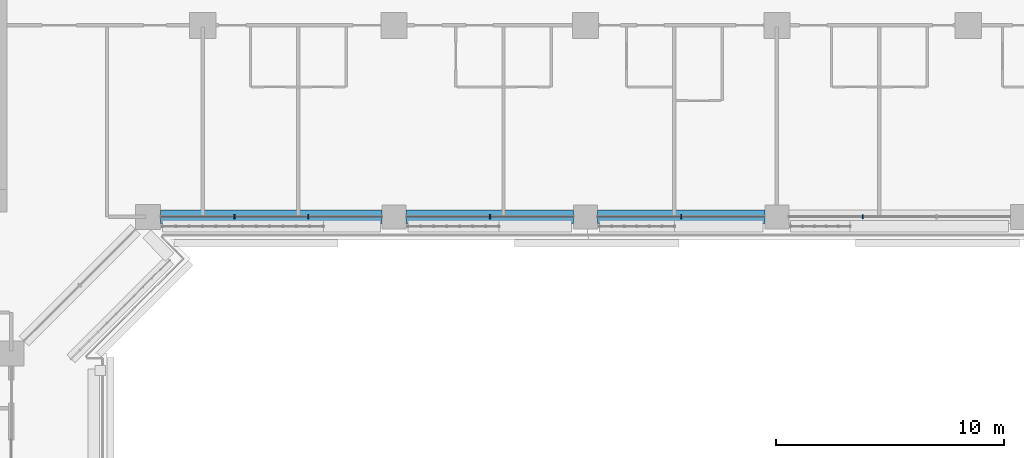
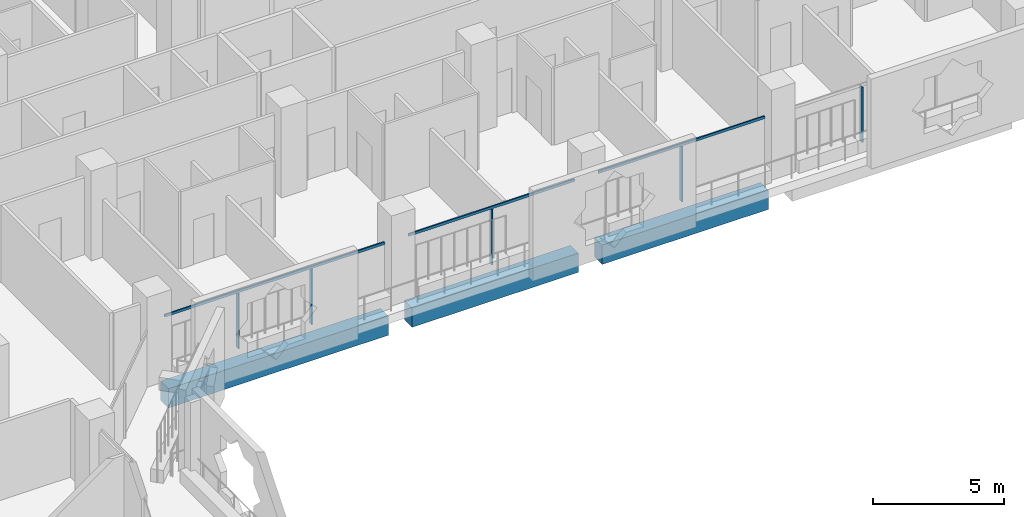
# One storey, part 6 of 25: 8 members, 3 beams, 1 element without a shape of its own.
"""IFC4 building model written with IfcOpenShell, lengths in metres."""

import ifcopenshell
import ifcopenshell.guid

model = None  # the IFC model being written
_history = None  # IfcOwnerHistory: only IFC2X3 demands one
_inside = {}  # id of a spatial element -> (the spatial element, [elements in it])
_under = {}  # id of a project, library or spatial element -> (it, [spatial elements below it])
_declared = {}  # id of a project -> (the project, [libraries it declares])
_typed = {}  # id of a type object -> (the type object, [elements of that type])
_made_of = {}  # id of a material, layer set ... -> (it, [elements and type objects made of it])


def new_model(schema):
    """Start an empty IFC model of exactly this schema.

    Asked for "IFC4X3", IfcOpenShell would pick the latest addendum, in which some entities
    have other attributes; the version numbers below select the first issue.
    IFC2X3 requires an IfcOwnerHistory on every rooted entity: one is made here for all.
    """
    global model, _history
    if schema == "IFC4X3":
        model = ifcopenshell.file(schema_version=(4, 3, 0, 0))
    else:
        model = ifcopenshell.file(schema=schema)
    _inside.clear()
    _under.clear()
    _declared.clear()
    _typed.clear()
    _made_of.clear()
    _history = None
    if model.schema == "IFC2X3":
        org = make("IfcOrganization", Name="unknown")
        user = make(
            "IfcPersonAndOrganization",
            ThePerson=make("IfcPerson", FamilyName="unknown"),
            TheOrganization=org,
        )
        app = make(
            "IfcApplication",
            ApplicationDeveloper=org,
            Version="unknown",
            ApplicationFullName="unknown",
            ApplicationIdentifier="unknown",
        )
        _history = make(
            "IfcOwnerHistory",
            OwningUser=user,
            OwningApplication=app,
            ChangeAction="ADDED",
            CreationDate=0,
        )
    return model


def make(cls, **values):
    """One entity of the class cls with the attributes given. An attribute that is None is left unset."""
    return model.create_entity(
        cls, **{name: value for name, value in values.items() if value is not None}
    )


def rooted(cls, **values):
    """An entity with a GlobalId (a new one), such as an element, a storey or a relation."""
    return make(cls, GlobalId=ifcopenshell.guid.new(), OwnerHistory=_history, **values)


def si_unit(unit_type, name, prefix=None):
    """IfcSIUnit, for example si_unit("LENGTHUNIT", "METRE", prefix="MILLI")."""
    return make("IfcSIUnit", UnitType=unit_type, Prefix=prefix, Name=name)


def assignment(units):
    """IfcUnitAssignment: the units of a project."""
    return None if units is None else make("IfcUnitAssignment", Units=units)


def point(xyz):
    """IfcCartesianPoint."""
    return None if xyz is None else make("IfcCartesianPoint", Coordinates=xyz)


def direction(xyz):
    """IfcDirection."""
    return None if xyz is None else make("IfcDirection", DirectionRatios=xyz)


def frame(location, z_axis=None, x_axis=None):
    """IfcAxis2Placement3D, a coordinate frame: its origin and axes. An axis left out is left unset."""
    return make(
        "IfcAxis2Placement3D",
        Location=point(location),
        Axis=direction(z_axis),
        RefDirection=direction(x_axis),
    )


def frame_2d(location, x_axis=None):
    """IfcAxis2Placement2D, a coordinate frame in the plane: its origin and x axis."""
    return make(
        "IfcAxis2Placement2D", Location=point(location), RefDirection=direction(x_axis)
    )


def origin():
    """The frame at (0, 0, 0) with its axes left unset."""
    return frame((0.0, 0.0, 0.0))


def origin_2d():
    """The frame at (0, 0) in the plane with its x axis left unset."""
    return frame_2d((0.0, 0.0))


def place(relative_to, where):
    """IfcLocalPlacement: puts the frame where relative to a parent placement (None: the world)."""
    return make(
        "IfcLocalPlacement", PlacementRelTo=relative_to, RelativePlacement=where
    )


def context(
    kind, dimensions, precision=None, world=None, true_north=None, identifier=None
):
    """IfcGeometricRepresentationContext, for example the 3D "Model" context."""
    return make(
        "IfcGeometricRepresentationContext",
        ContextIdentifier=identifier,
        ContextType=kind,
        CoordinateSpaceDimension=dimensions,
        Precision=precision,
        WorldCoordinateSystem=world,
        TrueNorth=true_north,
    )


def subcontext(parent, identifier, kind, view, scale=None):
    """IfcGeometricRepresentationSubContext, for example "Body" below "Model"."""
    return make(
        "IfcGeometricRepresentationSubContext",
        ContextIdentifier=identifier,
        ContextType=kind,
        ParentContext=parent,
        TargetScale=scale,
        TargetView=view,
    )


def project(units=None, contexts=None):
    """IfcProject with its units and contexts."""
    return rooted(
        "IfcProject",
        Name="project",
        RepresentationContexts=contexts,
        UnitsInContext=assignment(units),
    )


def spatial(cls, under=None, at=None, **own):
    """A site, building, storey or space (cls), placed at a placement, below another one or the project."""
    s = rooted(cls, ObjectPlacement=at, **own)
    if under is not None:
        _under.setdefault(under.id(), (under, []))[1].append(s)
    return s


def profile(cls, at=None, kind="AREA", **sizes):
    """A parametric profile (cls). Its sizes go by their IFC names, for example OverallWidth=200.0."""
    return make(cls, ProfileType=kind, Position=at, **sizes)


def rectangle(**sizes):
    """IfcRectangleProfileDef."""
    return profile("IfcRectangleProfileDef", **sizes)


def extrude(swept, where, along, depth):
    """IfcExtrudedAreaSolid: the profile swept, set in the frame where, extruded along a direction by depth."""
    return make(
        "IfcExtrudedAreaSolid",
        SweptArea=swept,
        Position=where,
        ExtrudedDirection=direction(along),
        Depth=depth,
    )


def shape(context_of_items, identifier, shape_type, items):
    """IfcShapeRepresentation: the items that make up one representation, for example the "Body"."""
    return make(
        "IfcShapeRepresentation",
        ContextOfItems=context_of_items,
        RepresentationIdentifier=identifier,
        RepresentationType=shape_type,
        Items=items,
    )


def material(Name=None, Category=None):
    """IfcMaterial."""
    return make("IfcMaterial", Name=Name, Category=Category)


def layer(
    of_material, thickness, ventilated=None, Name=None, Category=None, Priority=None
):
    """IfcMaterialLayer: one layer of a wall or slab, of a material (None: an air gap)."""
    return make(
        "IfcMaterialLayer",
        Material=of_material,
        LayerThickness=thickness,
        IsVentilated=ventilated,
        Name=Name,
        Category=Category,
        Priority=Priority,
    )


def layer_set(layers, Name=None):
    """IfcMaterialLayerSet."""
    return make("IfcMaterialLayerSet", MaterialLayers=layers, LayerSetName=Name)


def material_profile(
    of_material, cross_section, Name=None, Category=None, Priority=None
):
    """IfcMaterialProfile: a cross section and its material."""
    return make(
        "IfcMaterialProfile",
        Name=Name,
        Material=of_material,
        Profile=cross_section,
        Priority=Priority,
        Category=Category,
    )


def profile_set(profiles, Name=None, composite=None):
    """IfcMaterialProfileSet."""
    return make(
        "IfcMaterialProfileSet",
        Name=Name,
        MaterialProfiles=profiles,
        CompositeProfile=composite,
    )


def made_of(thing, what):
    """Note that an element or type object is made of a material, layer set ...; save() writes the relation."""
    if what is not None:
        _made_of.setdefault(what.id(), (what, []))[1].append(thing)
    return thing


def type_object(cls, material=None, **own):
    """A type object (cls), such as IfcWallType, which elements share."""
    return made_of(rooted(cls, **own), material)


def element(
    cls,
    number,
    at=None,
    inside=None,
    cuts=None,
    type_object=None,
    material=None,
    context=None,
    identifier="Body",
    shape_type=None,
    held_by="IfcProductDefinitionShape",
    body=None,
    shapes=None,
    **own,
):
    """One element of the class cls, such as IfcWall. Its Tag is "e" and its number.

    at: its placement. inside: the storey or other place that contains it. cuts: it is an
    opening in that element (IfcRelVoidsElement). A single representation is given by context,
    identifier, shape_type and body (its items); several are given by shapes. held_by: the class
    of the entity that holds the representations. save() writes the other relations.
    """
    e = rooted(cls, Tag="e%d" % number, ObjectPlacement=at, **own)
    if body is not None:
        shapes = [shape(context, identifier, shape_type, body)]
    if shapes is not None:
        e.Representation = make(held_by, Representations=shapes)
    if inside is not None:
        _inside.setdefault(inside.id(), (inside, []))[1].append(e)
    if cuts is not None:
        rooted(
            "IfcRelVoidsElement", RelatingBuildingElement=cuts, RelatedOpeningElement=e
        )
    if type_object is not None:
        _typed.setdefault(type_object.id(), (type_object, []))[1].append(e)
    return made_of(e, material)


def aggregate(whole, parts):
    """IfcRelAggregates: a whole, such as a stair, and the parts it consists of."""
    return rooted("IfcRelAggregates", RelatingObject=whole, RelatedObjects=parts)


def save(model, path):
    """Write the relations noted so far, then the file.

    IfcRelAggregates (storeys below a building ...), IfcRelContainedInSpatialStructure (elements
    in a storey), IfcRelDefinesByType, IfcRelAssociatesMaterial and IfcRelDeclares: one each for
    every whole, place, type object, material and project.
    """
    for whole, parts in _under.values():
        aggregate(whole, parts)
    for where, things in _inside.values():
        rooted(
            "IfcRelContainedInSpatialStructure",
            RelatedElements=things,
            RelatingStructure=where,
        )
    for kind, things in _typed.values():
        rooted("IfcRelDefinesByType", RelatedObjects=things, RelatingType=kind)
    for what, things in _made_of.values():
        rooted("IfcRelAssociatesMaterial", RelatedObjects=things, RelatingMaterial=what)
    for by, libraries in _declared.values():
        rooted("IfcRelDeclares", RelatingContext=by, RelatedDefinitions=libraries)
    model.write(path)


model = new_model("IFC4")

# Units and contexts
model_context = context("Model", 3, precision=1e-05, world=origin(), true_north=direction((0.0, 1.0)))
body_context = subcontext(model_context, "Body", "Model", "MODEL_VIEW")
ifc_project = project(units=[si_unit("LENGTHUNIT", "METRE"), si_unit("AREAUNIT", "SQUARE_METRE"), si_unit("VOLUMEUNIT", "CUBIC_METRE"), si_unit("PLANEANGLEUNIT", "RADIAN"), si_unit("MASSUNIT", "GRAM", prefix="KILO")], contexts=[model_context])

# Site, building, storey
site_placement = place(None, origin())
site = spatial("IfcSite", under=ifc_project, at=site_placement, CompositionType="ELEMENT")
building_placement = place(site_placement, origin())
building = spatial("IfcBuilding", under=site, at=building_placement, Name="Kawkab Arch Medical Tower", CompositionType="ELEMENT")
storey_placement = place(building_placement, frame((0.0, 0.0, 140.800048828125)))
storey = spatial("IfcBuildingStorey", under=building, at=storey_placement, Name="L32", CompositionType="ELEMENT", Elevation=140.800048828125)

# Curtain wall, members
ifc_material_1 = material(Name="Bronze anodised aluminium curtain wall frame", Category="aluminium")
ifc_layer = layer(ifc_material_1, 0.159912109375)
ifc_layer_set = layer_set([ifc_layer], Name="Bronze anodised aluminium curtain wall frame")
curtain_wall_type = type_object("IfcCurtainWallType", Name="CW1 ward curtain wall", PredefinedType="NOTDEFINED", material=ifc_layer_set)
curtain_wall_placement = place(storey_placement, origin())
curtain_wall = element("IfcCurtainWall", 1, at=curtain_wall_placement, inside=storey, type_object=curtain_wall_type, Name="CW1 Ward curtain wall R07", PredefinedType="NOTDEFINED")
ifc_material_2 = material(Name="Bronze anodised aluminium curtain wall frame", Category="aluminium")
ifc_material_profile_1 = material_profile(ifc_material_2, rectangle(XDim=0.179931640625, YDim=0.06005859375, at=origin_2d()), Name="AL 60x180")
ifc_profile_set_1 = profile_set([ifc_material_profile_1], Name="Bronze anodised aluminium curtain wall frame")
member_type_1 = type_object("IfcMemberType", Name="CW1 mullion 60 x 180", PredefinedType="MULLION", material=ifc_profile_set_1)
member_1_placement = place(storey_placement, frame((34.99169921875, -25.199951171875, 0.0), z_axis=(0.0, 0.0, 1.0), x_axis=(0.0, 1.0, 0.0)))
member_1 = element("IfcMember", 2, at=member_1_placement, type_object=member_type_1, Name="CW1 mullion 1.1", PredefinedType="MULLION", context=body_context, shape_type="SweptSolid", body=[
    extrude(rectangle(XDim=0.179931640625, YDim=0.06005859375, at=origin_2d()), origin(), (0.0, 0.0, 1.0), 2.579833984375),
])
member_2_placement = place(storey_placement, frame((38.2333984375, -25.199951171875, 0.0), z_axis=(0.0, 0.0, 1.0), x_axis=(0.0, 1.0, 0.0)))
member_2 = element("IfcMember", 3, at=member_2_placement, type_object=member_type_1, Name="CW1 mullion 1.2", PredefinedType="MULLION", context=body_context, shape_type="SweptSolid", body=[
    extrude(rectangle(XDim=0.179931640625, YDim=0.06005859375, at=origin_2d()), origin(), (0.0, 0.0, 1.0), 2.579833984375),
])
member_3_placement = place(storey_placement, frame((46.199951171875, -25.199951171875, 0.0), z_axis=(0.0, 0.0, 1.0), x_axis=(0.0, 1.0, 0.0)))
member_3 = element("IfcMember", 4, at=member_3_placement, type_object=member_type_1, Name="CW1 mullion 2.1", PredefinedType="MULLION", context=body_context, shape_type="SweptSolid", body=[
    extrude(rectangle(XDim=0.179931640625, YDim=0.06005859375, at=origin_2d()), origin(), (0.0, 0.0, 1.0), 2.579833984375),
])
member_4_placement = place(storey_placement, frame((54.60009765625, -25.199951171875, 0.0), z_axis=(0.0, 0.0, 1.0), x_axis=(0.0, 1.0, 0.0)))
member_4 = element("IfcMember", 5, at=member_4_placement, type_object=member_type_1, Name="CW1 mullion 3.1", PredefinedType="MULLION", context=body_context, shape_type="SweptSolid", body=[
    extrude(rectangle(XDim=0.179931640625, YDim=0.06005859375, at=origin_2d()), origin(), (0.0, 0.0, 1.0), 2.579833984375),
])
member_5_placement = place(storey_placement, frame((62.566650390625, -25.199951171875, 0.0), z_axis=(0.0, 0.0, 1.0), x_axis=(0.0, 1.0, 0.0)))
member_5 = element("IfcMember", 6, at=member_5_placement, type_object=member_type_1, Name="CW1 mullion 4.1", PredefinedType="MULLION", context=body_context, shape_type="SweptSolid", body=[
    extrude(rectangle(XDim=0.179931640625, YDim=0.06005859375, at=origin_2d()), origin(), (0.0, 0.0, 1.0), 2.579833984375),
])
ifc_material_3 = material(Name="Bronze anodised aluminium curtain wall frame", Category="aluminium")
ifc_material_profile_2 = material_profile(ifc_material_3, rectangle(XDim=0.06005859375, YDim=0.1201171875, at=origin_2d()), Name="AL 60x120")
ifc_profile_set_2 = profile_set([ifc_material_profile_2], Name="Bronze anodised aluminium curtain wall frame")
member_type_2 = type_object("IfcMemberType", Name="CW1 transom 120 x 60", PredefinedType="USERDEFINED", material=ifc_profile_set_2)
member_6_placement = place(storey_placement, frame((31.75, -25.199951171875, 2.639892578125), z_axis=(1.0, 0.0, 0.0), x_axis=(0.0, 1.0, 0.0)))
member_6 = element("IfcMember", 7, at=member_6_placement, type_object=member_type_2, Name="CW1 transom 1", ObjectType="TRANSOM", PredefinedType="USERDEFINED", context=body_context, shape_type="SweptSolid", body=[
    extrude(rectangle(XDim=0.06005859375, YDim=0.1201171875, at=origin_2d()), origin(), (0.0, 0.0, 1.0), 9.72509765625),
])
member_7_placement = place(storey_placement, frame((42.52490234375, -25.199951171875, 2.639892578125), z_axis=(1.0, 0.0, 0.0), x_axis=(0.0, 1.0, 0.0)))
member_7 = element("IfcMember", 8, at=member_7_placement, type_object=member_type_2, Name="CW1 transom 2", ObjectType="TRANSOM", PredefinedType="USERDEFINED", context=body_context, shape_type="SweptSolid", body=[
    extrude(rectangle(XDim=0.06005859375, YDim=0.1201171875, at=origin_2d()), origin(), (0.0, 0.0, 1.0), 7.35009765625),
])
member_8_placement = place(storey_placement, frame((50.925048828125, -25.199951171875, 2.639892578125), z_axis=(1.0, 0.0, 0.0), x_axis=(0.0, 1.0, 0.0)))
member_8 = element("IfcMember", 9, at=member_8_placement, type_object=member_type_2, Name="CW1 transom 3", ObjectType="TRANSOM", PredefinedType="USERDEFINED", context=body_context, shape_type="SweptSolid", body=[
    extrude(rectangle(XDim=0.06005859375, YDim=0.1201171875, at=origin_2d()), origin(), (0.0, 0.0, 1.0), 7.349853515625),
])
aggregate(curtain_wall, [member_6, member_1, member_2, member_7, member_3, member_8, member_4, member_5])

# Beams
ifc_material_4 = material(Name="Concrete C55/67", Category="concrete")
ifc_material_profile_3 = material_profile(ifc_material_4, rectangle(XDim=0.60009765625, YDim=0.89990234375, at=origin_2d()), Name="RC 600x900")
ifc_profile_set_3 = profile_set([ifc_material_profile_3], Name="Concrete C55/67")
beam_type = type_object("IfcBeamType", Name="RC 600x900 beam C55/67", PredefinedType="BEAM", material=ifc_profile_set_3)
beam_1_placement = place(storey_placement, frame((58.27490234375, -25.199951171875, -1.050048828125), z_axis=(-1.0, 0.0, 0.0), x_axis=(0.0, -1.0, 0.0)))
element("IfcBeam", 10, at=beam_1_placement, inside=storey, type_object=beam_type, Name="Overhang edge beam L32-03", PredefinedType="BEAM", context=body_context, shape_type="SweptSolid", body=[
    extrude(rectangle(XDim=0.60009765625, YDim=0.89990234375, at=origin_2d()), origin(), (0.0, 0.0, 1.0), 7.349853515625),
])
beam_2_placement = place(storey_placement, frame((49.875, -25.199951171875, -1.050048828125), z_axis=(-1.0, 0.0, 0.0), x_axis=(0.0, -1.0, 0.0)))
element("IfcBeam", 11, at=beam_2_placement, inside=storey, type_object=beam_type, Name="Overhang edge beam L32-04", PredefinedType="BEAM", context=body_context, shape_type="SweptSolid", body=[
    extrude(rectangle(XDim=0.60009765625, YDim=0.89990234375, at=origin_2d()), origin(), (0.0, 0.0, 1.0), 7.35009765625),
])
beam_3_placement = place(storey_placement, frame((41.47509765625, -25.199951171875, -1.050048828125), z_axis=(-1.0, 0.0, 0.0), x_axis=(0.0, -1.0, 0.0)))
element("IfcBeam", 12, at=beam_3_placement, inside=storey, type_object=beam_type, Name="Overhang edge beam L32-05", PredefinedType="BEAM", context=body_context, shape_type="SweptSolid", body=[
    extrude(rectangle(XDim=0.60009765625, YDim=0.89990234375, at=origin_2d()), origin(), (0.0, 0.0, 1.0), 9.72509765625),
])

save(model, "model.ifc")
